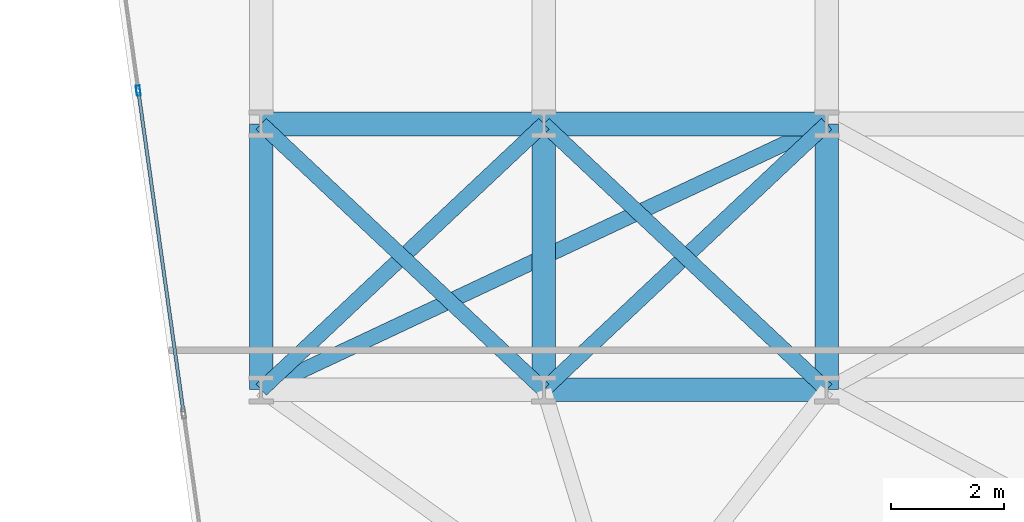
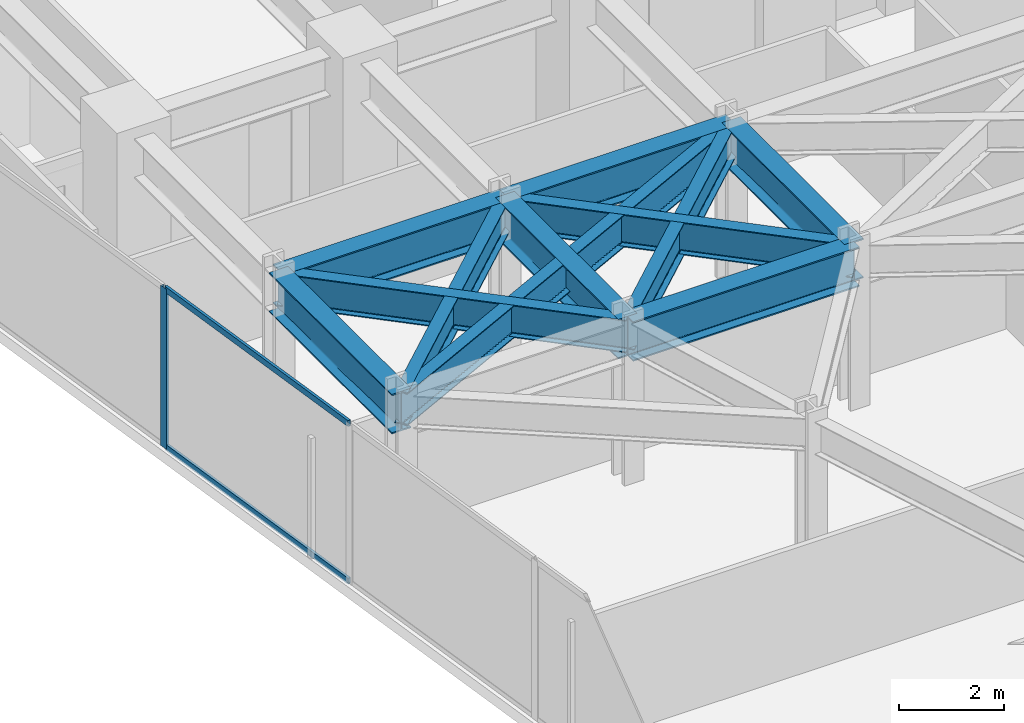
# One storey, part 8 of 24: 11 beams, 3 members, 1 element without a shape of its own.
"""IFC4 building model written with IfcOpenShell, lengths in metres."""

from ifc_helpers import new_model, si_unit, direction, frame, origin, origin_2d, place, context, subcontext, project, spatial, hollow_rectangle, i_section, extrude, material, layer, layer_set, material_profile, profile_set, type_object, element, aggregate, save


model = new_model("IFC4")

# Units and contexts
model_context = context("Model", 3, precision=1e-05, world=origin(), true_north=direction((0.0, 1.0)))
body_context = subcontext(model_context, "Body", "Model", "MODEL_VIEW")
ifc_project = project(units=[si_unit("LENGTHUNIT", "METRE"), si_unit("AREAUNIT", "SQUARE_METRE"), si_unit("VOLUMEUNIT", "CUBIC_METRE"), si_unit("PLANEANGLEUNIT", "RADIAN"), si_unit("MASSUNIT", "GRAM", prefix="KILO")], contexts=[model_context])

# Site, building, storey
site_placement = place(None, origin())
site = spatial("IfcSite", under=ifc_project, at=site_placement, CompositionType="ELEMENT")
building_placement = place(site_placement, origin())
building = spatial("IfcBuilding", under=site, at=building_placement, Name="Kravanh Interchange Tower", CompositionType="ELEMENT")
storey_placement = place(building_placement, frame((0.0, 0.0, 77.5)))
storey = spatial("IfcBuildingStorey", under=building, at=storey_placement, Name="L18", CompositionType="ELEMENT", Elevation=77.5)

# Curtain wall, members
ifc_material_1 = material(Name="Anodised Bronze Aluminium", Category="aluminium")
ifc_layer = layer(ifc_material_1, 0.179931640625)
ifc_layer_set = layer_set([ifc_layer], Name="Unitised Curtain Wall System CW-Z1 Lower Office")
curtain_wall_type = type_object("IfcCurtainWallType", Name="Unitised Curtain Wall System CW-Z1 Lower Office", PredefinedType="NOTDEFINED", material=ifc_layer_set)
curtain_wall_placement = place(storey_placement, origin())
curtain_wall = element("IfcCurtainWall", 1, at=curtain_wall_placement, inside=storey, type_object=curtain_wall_type, Name="L18 Unitised Curtain Wall CW-L18-01", PredefinedType="NOTDEFINED")
ifc_material_2 = material(Name="Anodised Bronze Aluminium", Category="aluminium")
ifc_material_profile_1 = material_profile(ifc_material_2, hollow_rectangle(XDim=0.070068359375, YDim=0.179931640625, WallThickness=0.00390625, at=origin_2d()), Name="ALU70X180X4")
ifc_profile_set_1 = profile_set([ifc_material_profile_1], Name="Anodised Bronze Aluminium")
member_type_1 = type_object("IfcMemberType", Name="Curtain Wall Mullion ALU70X180X4 Bronze", PredefinedType="MULLION", material=ifc_profile_set_1)
member_1_placement = place(storey_placement, frame((6.427490234375, 32.08935546875, 0.0), z_axis=(0.0, 0.0, 1.0), x_axis=(-0.990267585682, -0.139176538065, 0.0)))
member_1 = element("IfcMember", 2, at=member_1_placement, type_object=member_type_1, Name="CW-Z1 mullion 6", PredefinedType="MULLION", context=body_context, shape_type="SweptSolid", body=[
    extrude(hollow_rectangle(XDim=0.070068359375, YDim=0.179931640625, WallThickness=0.00390625, at=origin_2d()), origin(), (0.0, 0.0, 1.0), 3.739990234375),
])
ifc_material_3 = material(Name="Anodised Bronze Aluminium", Category="aluminium")
ifc_material_profile_2 = material_profile(ifc_material_3, hollow_rectangle(XDim=0.06005859375, YDim=0.139892578125, WallThickness=0.00390625, at=origin_2d()), Name="ALU60X140X4")
ifc_profile_set_2 = profile_set([ifc_material_profile_2], Name="Anodised Bronze Aluminium")
member_type_2 = type_object("IfcMemberType", Name="Curtain Wall Transom ALU60X140X4 Bronze", PredefinedType="USERDEFINED", material=ifc_profile_set_2)
member_2_placement = place(storey_placement, frame((7.22509765625, 26.41357421875, 0.030029296875), z_axis=(-0.139158957544, 0.990270056366, 0.0), x_axis=(-0.990270056366, -0.139158957544, 0.0)))
member_2 = element("IfcMember", 3, at=member_2_placement, type_object=member_type_2, Name="CW-Z1 transom 5.1", ObjectType="TRANSOM", PredefinedType="USERDEFINED", context=body_context, shape_type="SweptSolid", body=[
    extrude(hollow_rectangle(XDim=0.06005859375, YDim=0.139892578125, WallThickness=0.00390625, at=origin_2d()), origin(), (0.0, 0.0, 1.0), 5.696533203125),
])
member_3_placement = place(storey_placement, frame((7.22509765625, 26.41357421875, 3.7099609375), z_axis=(-0.139158957544, 0.990270056366, 0.0), x_axis=(-0.990270056366, -0.139158957544, 0.0)))
member_3 = element("IfcMember", 4, at=member_3_placement, type_object=member_type_2, Name="CW-Z1 transom 5.2", ObjectType="TRANSOM", PredefinedType="USERDEFINED", context=body_context, shape_type="SweptSolid", body=[
    extrude(hollow_rectangle(XDim=0.06005859375, YDim=0.139892578125, WallThickness=0.00390625, at=origin_2d()), origin(), (0.0, 0.0, 1.0), 5.696533203125),
])
aggregate(curtain_wall, [member_1, member_2, member_3])

# Beams
ifc_material_4 = material(Name="Structural Steel S355", Category="steel")
ifc_material_profile_3 = material_profile(ifc_material_4, i_section(OverallWidth=0.41796875, OverallDepth=0.927001953125, WebThickness=0.019287109375, FlangeThickness=0.031982421875, FilletRadius=0.028076171875, at=origin_2d()), Name="W36X231")
ifc_profile_set_3 = profile_set([ifc_material_profile_3], Name="Structural Steel S355")
beam_type_1 = type_object("IfcBeamType", Name="Floor Beam W36X231 Structural Steel S355", PredefinedType="BEAM", material=ifc_profile_set_3)
for number, where, z_axis, x_axis, name in (
    (5, (8.60009765625, 26.800048828125, 3.276611328125), (0.0, 1.0, 0.0), (-1.0, 0.0, 0.0), "L18 Primary Floor Girder 66"),
    (6, (13.60009765625, 26.800048828125, 3.276611328125), (0.0, 1.0, 0.0), (-1.0, 0.0, 0.0), "L18 Primary Floor Girder 70"),
):
    element("IfcBeam", number, at=place(storey_placement, frame(where, z_axis=z_axis, x_axis=x_axis)), inside=storey, type_object=beam_type_1, Name=name, PredefinedType="BEAM", context=body_context, shape_type="SweptSolid", body=[
        extrude(i_section(OverallWidth=0.41796875, OverallDepth=0.927001953125, WebThickness=0.019287109375, FlangeThickness=0.031982421875, FilletRadius=0.028076171875, at=origin_2d()), origin(), (0.0, 0.0, 1.0), 4.699951171875),
    ])
beam_1_placement = place(storey_placement, frame((13.60009765625, 26.800048828125, 3.276611328125), z_axis=(1.0, 0.0, 0.0), x_axis=(0.0, 1.0, 0.0)))
element("IfcBeam", 7, at=beam_1_placement, inside=storey, type_object=beam_type_1, Name="L18 Primary Floor Girder 71", PredefinedType="BEAM", context=body_context, shape_type="SweptSolid", body=[
    extrude(i_section(OverallWidth=0.41796875, OverallDepth=0.927001953125, WebThickness=0.019287109375, FlangeThickness=0.031982421875, FilletRadius=0.028076171875, at=origin_2d()), origin(), (0.0, 0.0, 1.0), 5.0),
])
beam_2_placement = place(storey_placement, frame((18.60009765625, 26.800048828125, 3.276611328125), z_axis=(0.0, 1.0, 0.0), x_axis=(-1.0, 0.0, 0.0)))
element("IfcBeam", 8, at=beam_2_placement, inside=storey, type_object=beam_type_1, Name="L18 Primary Floor Girder 74", PredefinedType="BEAM", context=body_context, shape_type="SweptSolid", body=[
    extrude(i_section(OverallWidth=0.41796875, OverallDepth=0.927001953125, WebThickness=0.019287109375, FlangeThickness=0.031982421875, FilletRadius=0.028076171875, at=origin_2d()), origin(), (0.0, 0.0, 1.0), 4.699951171875),
])
for number, where, z_axis, x_axis, name in (
    (9, (8.60009765625, 31.5, 3.276611328125), (1.0, 0.0, 0.0), (0.0, 1.0, 0.0), "L18 Primary Floor Girder 100"),
    (10, (13.60009765625, 31.5, 3.276611328125), (1.0, 0.0, 0.0), (0.0, 1.0, 0.0), "L18 Primary Floor Girder 101"),
):
    element("IfcBeam", number, at=place(storey_placement, frame(where, z_axis=z_axis, x_axis=x_axis)), inside=storey, type_object=beam_type_1, Name=name, PredefinedType="BEAM", context=body_context, shape_type="SweptSolid", body=[
        extrude(i_section(OverallWidth=0.41796875, OverallDepth=0.927001953125, WebThickness=0.019287109375, FlangeThickness=0.031982421875, FilletRadius=0.028076171875, at=origin_2d()), origin(), (0.0, 0.0, 1.0), 5.0),
    ])
ifc_material_5 = material(Name="Structural Steel S355", Category="steel")
ifc_material_profile_4 = material_profile(ifc_material_5, i_section(OverallWidth=0.26708984375, OverallDepth=0.761962890625, WebThickness=0.014404296875, FlangeThickness=0.021484375, FilletRadius=0.02490234375, at=origin_2d()), Name="W30X116")
ifc_profile_set_4 = profile_set([ifc_material_profile_4], Name="Structural Steel S355")
beam_type_2 = type_object("IfcBeamType", Name="Floor Spandrel W30X116 Structural Steel S355", PredefinedType="SPANDREL", material=ifc_profile_set_4)
beam_3_placement = place(storey_placement, frame((8.60009765625, 26.800048828125, 3.35888671875), z_axis=(0.728631219862, 0.684906231131, 0.0), x_axis=(-0.684906231131, 0.728631219862, 0.0)))
element("IfcBeam", 11, at=beam_3_placement, inside=storey, type_object=beam_type_2, Name="L18 Perimeter Spandrel 68", PredefinedType="SPANDREL", context=body_context, shape_type="SweptSolid", body=[
    extrude(i_section(OverallWidth=0.26708984375, OverallDepth=0.761962890625, WebThickness=0.014404296875, FlangeThickness=0.021484375, FilletRadius=0.02490234375, at=origin_2d()), origin(), (0.0, 0.0, 1.0), 6.862060546875),
])
beam_4_placement = place(storey_placement, frame((8.60009765625, 26.800048828125, 3.35888671875), z_axis=(0.905025402916, 0.425357520301, 0.0), x_axis=(-0.425357520301, 0.905025402916, 0.0)))
element("IfcBeam", 12, at=beam_4_placement, inside=storey, type_object=beam_type_2, Name="L18 Perimeter Spandrel 69", PredefinedType="SPANDREL", context=body_context, shape_type="SweptSolid", body=[
    extrude(i_section(OverallWidth=0.26708984375, OverallDepth=0.761962890625, WebThickness=0.014404296875, FlangeThickness=0.021484375, FilletRadius=0.02490234375, at=origin_2d()), origin(), (0.0, 0.0, 1.0), 11.04931640625),
])
for number, where, z_axis, x_axis, name in (
    (13, (13.60009765625, 26.800048828125, 3.35888671875), (-0.728631219862, 0.684906231131, 0.0), (-0.684906231131, -0.728631219862, 0.0), "L18 Perimeter Spandrel 72"),
    (14, (13.60009765625, 26.800048828125, 3.35888671875), (0.728631219862, 0.684906231131, 0.0), (-0.684906231131, 0.728631219862, 0.0), "L18 Perimeter Spandrel 73"),
    (15, (18.60009765625, 26.800048828125, 3.35888671875), (-0.728631219862, 0.684906231131, 0.0), (-0.684906231131, -0.728631219862, 0.0), "L18 Perimeter Spandrel 75"),
):
    element("IfcBeam", number, at=place(storey_placement, frame(where, z_axis=z_axis, x_axis=x_axis)), inside=storey, type_object=beam_type_2, Name=name, PredefinedType="SPANDREL", context=body_context, shape_type="SweptSolid", body=[
        extrude(i_section(OverallWidth=0.26708984375, OverallDepth=0.761962890625, WebThickness=0.014404296875, FlangeThickness=0.021484375, FilletRadius=0.02490234375, at=origin_2d()), origin(), (0.0, 0.0, 1.0), 6.862060546875),
    ])

save(model, "model.ifc")
